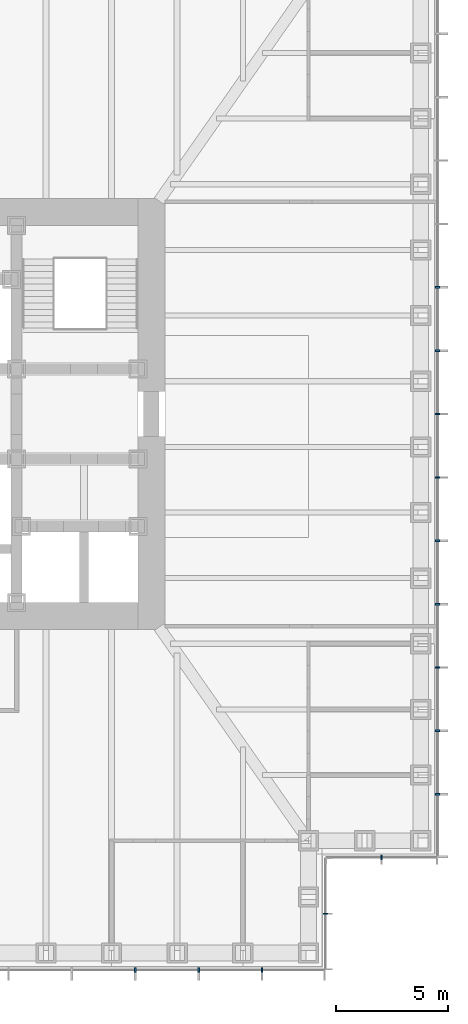
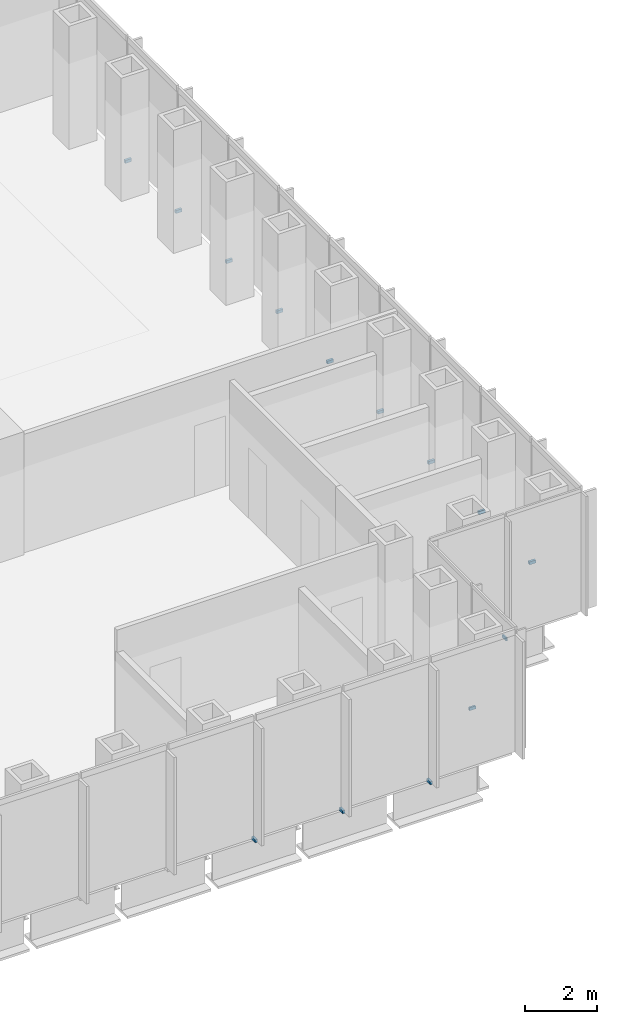
# One storey, part 14 of 17: 14 discrete accessories.
"""IFC4 building model written with IfcOpenShell, lengths in metres."""

from ifc_helpers import new_model, si_unit, direction, frame, origin, origin_2d, place, context, subcontext, project, spatial, rectangle, extrude, element, save


model = new_model("IFC4")

# Units and contexts
model_context = context("Model", 3, precision=1e-05, world=origin(), true_north=direction((0.0, 1.0)))
body_context = subcontext(model_context, "Body", "Model", "MODEL_VIEW")
ifc_project = project(units=[si_unit("LENGTHUNIT", "METRE"), si_unit("AREAUNIT", "SQUARE_METRE"), si_unit("VOLUMEUNIT", "CUBIC_METRE"), si_unit("PLANEANGLEUNIT", "RADIAN"), si_unit("MASSUNIT", "GRAM", prefix="KILO")], contexts=[model_context])

# Site, building, storey
site_placement = place(None, origin())
site = spatial("IfcSite", under=ifc_project, at=site_placement, CompositionType="ELEMENT")
building_placement = place(site_placement, origin())
building = spatial("IfcBuilding", under=site, at=building_placement, Name="Daluyong Arena Tower", CompositionType="ELEMENT")
storey_placement = place(building_placement, frame((0.0, 0.0, 81.10009765625)))
storey = spatial("IfcBuildingStorey", under=building, at=storey_placement, Name="L17", CompositionType="ELEMENT", Elevation=81.10009765625)

# Discrete accessories
for number, where, z_axis, x_axis, name in (
    (1, (67.28564453125, 55.25, -0.10009765625), (0.0, 0.0, 1.0), (1.0, 0.0, 0.0), "curtain wall L17 S anchor bracket 12"),
    (2, (70.107177734375, 55.25, -0.10009765625), (0.0, 0.0, 1.0), (1.0, 0.0, 0.0), "curtain wall L17 S anchor bracket 13"),
    (3, (72.928466796875, 55.25, -0.10009765625), (0.0, 0.0, 1.0), (1.0, 0.0, 0.0), "curtain wall L17 S anchor bracket 14"),
):
    element("IfcDiscreteAccessory", number, at=place(storey_placement, frame(where, z_axis=z_axis, x_axis=x_axis)), inside=storey, Name=name, PredefinedType="BRACKET", context=body_context, shape_type="SweptSolid", body=[
        extrude(rectangle(XDim=0.080078125, YDim=0.199951171875, at=origin_2d()), origin(), (0.0, 0.0, 1.0), 0.10009765625),
    ])
for number, where, z_axis, x_axis, name in (
    (4, (75.75, 57.75, -0.10009765625), (0.0, 0.0, 1.0), (0.0, 1.0, 0.0), "curtain wall L17 SE-E anchor bracket 2"),
    (5, (78.25, 60.25, -0.10009765625), (0.0, 0.0, 1.0), (1.0, 0.0, 0.0), "curtain wall L17 SE-S anchor bracket 2"),
):
    element("IfcDiscreteAccessory", number, at=place(storey_placement, frame(where, z_axis=z_axis, x_axis=x_axis)), inside=storey, Name=name, PredefinedType="BRACKET", context=body_context, shape_type="SweptSolid", body=[
        extrude(rectangle(XDim=0.06005859375, YDim=0.199951171875, at=origin_2d()), origin(), (0.0, 0.0, 1.0), 0.10009765625),
    ])
for number, where, z_axis, x_axis, name in (
    (6, (80.75, 63.071533203125, -0.10009765625), (0.0, 0.0, 1.0), (0.0, 1.0, 0.0), "curtain wall L17 E anchor bracket 2"),
    (7, (80.75, 65.892822265625, -0.10009765625), (0.0, 0.0, 1.0), (0.0, 1.0, 0.0), "curtain wall L17 E anchor bracket 3"),
    (8, (80.75, 68.71435546875, -0.10009765625), (0.0, 0.0, 1.0), (0.0, 1.0, 0.0), "curtain wall L17 E anchor bracket 4"),
    (9, (80.75, 71.53564453125, -0.10009765625), (0.0, 0.0, 1.0), (0.0, 1.0, 0.0), "curtain wall L17 E anchor bracket 5"),
    (10, (80.75, 74.357177734375, -0.10009765625), (0.0, 0.0, 1.0), (0.0, 1.0, 0.0), "curtain wall L17 E anchor bracket 6"),
    (11, (80.75, 77.178466796875, -0.10009765625), (0.0, 0.0, 1.0), (0.0, 1.0, 0.0), "curtain wall L17 E anchor bracket 7"),
    (12, (80.75, 80.0, -0.10009765625), (0.0, 0.0, 1.0), (0.0, 1.0, 0.0), "curtain wall L17 E anchor bracket 8"),
    (13, (80.75, 82.821533203125, -0.10009765625), (0.0, 0.0, 1.0), (0.0, 1.0, 0.0), "curtain wall L17 E anchor bracket 9"),
    (14, (80.75, 85.642822265625, -0.10009765625), (0.0, 0.0, 1.0), (0.0, 1.0, 0.0), "curtain wall L17 E anchor bracket 10"),
):
    element("IfcDiscreteAccessory", number, at=place(storey_placement, frame(where, z_axis=z_axis, x_axis=x_axis)), inside=storey, Name=name, PredefinedType="BRACKET", context=body_context, shape_type="SweptSolid", body=[
        extrude(rectangle(XDim=0.080078125, YDim=0.199951171875, at=origin_2d()), origin(), (0.0, 0.0, 1.0), 0.10009765625),
    ])

save(model, "model.ifc")
